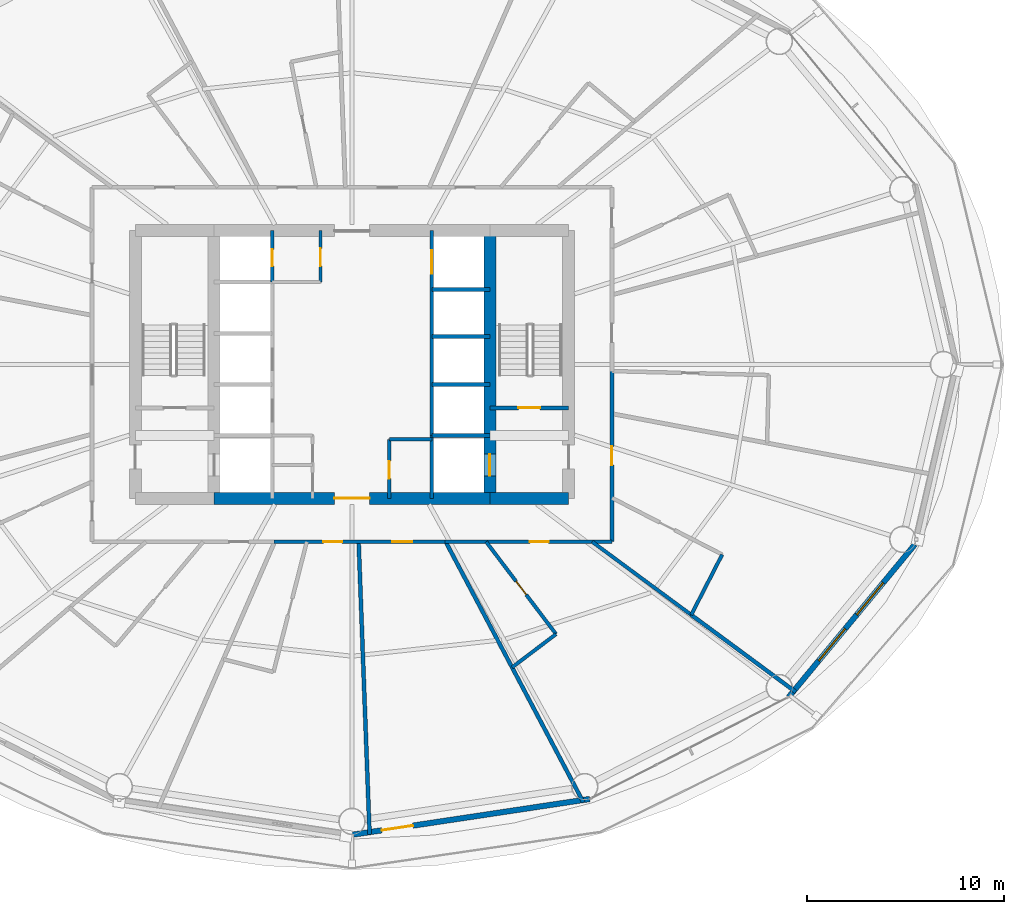
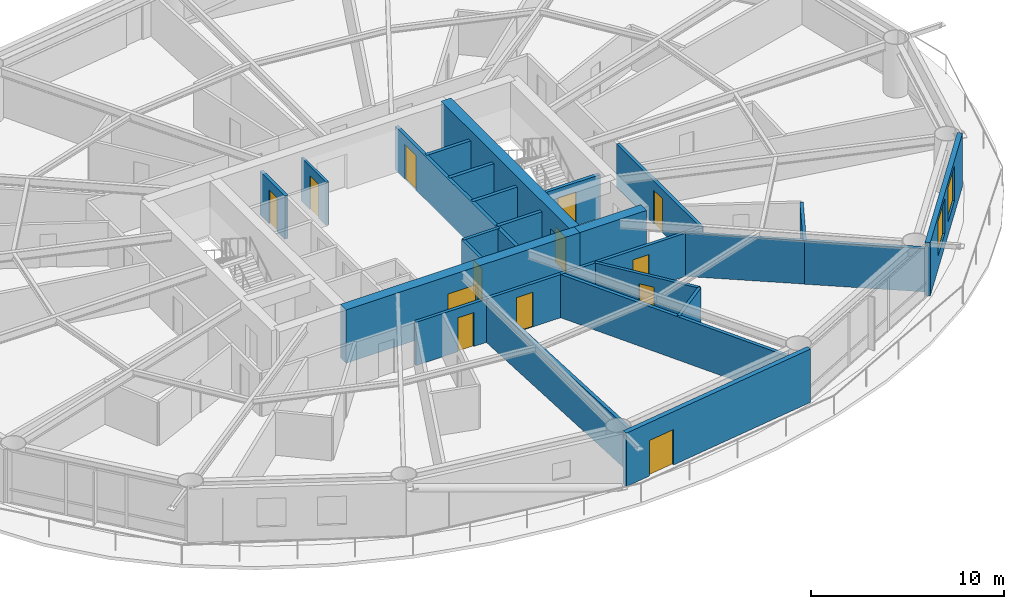
# One storey, part 21 of 26: 26 walls, 13 doors, 2 windows, 15 openings.
"""IFC4 building model written with IfcOpenShell, lengths in metres."""

from ifc_helpers import new_model, si_unit, direction, frame, frame_2d, origin, place, context, subcontext, project, spatial, rectangle, extrude, material, layer, layer_set, type_object, element, fill, save


model = new_model("IFC4")

# Units and contexts
model_context = context("Model", 3, precision=1e-05, world=origin(), true_north=direction((0.0, 1.0)))
body_context = subcontext(model_context, "Body", "Model", "MODEL_VIEW")
ifc_project = project(units=[si_unit("LENGTHUNIT", "METRE"), si_unit("AREAUNIT", "SQUARE_METRE"), si_unit("VOLUMEUNIT", "CUBIC_METRE"), si_unit("PLANEANGLEUNIT", "RADIAN"), si_unit("MASSUNIT", "GRAM", prefix="KILO")], contexts=[model_context])

# Site, building, storey
site_placement = place(None, origin())
site = spatial("IfcSite", under=ifc_project, at=site_placement, CompositionType="ELEMENT")
building_placement = place(site_placement, origin())
building = spatial("IfcBuilding", under=site, at=building_placement, Name="Sarneth Arch Tower", CompositionType="ELEMENT")
storey_placement = place(building_placement, frame((0.0, 0.0, 42.60009765625)))
storey = spatial("IfcBuildingStorey", under=building, at=storey_placement, Name="L09", CompositionType="ELEMENT", Elevation=42.60009765625)

# Wall, opening, door
ifc_material_1 = material(Name="Concrete C60/75", Category="concrete")
ifc_layer_1 = layer(ifc_material_1, 0.60009765625)
ifc_layer_set_1 = layer_set([ifc_layer_1], Name="Concrete C60/75")
wall_type_1 = type_object("IfcWallType", Name="WALL-CORE-600", PredefinedType="SHEAR", material=ifc_layer_set_1)
wall_1_placement = place(storey_placement, frame((41.0, 35.199951171875, 0.0), z_axis=(0.0, 0.0, 1.0), x_axis=(1.0, 0.0, 0.0)))
wall_1 = element("IfcWall", 1, at=wall_1_placement, inside=storey, type_object=wall_type_1, Name="L09 Core shear wall S-M", PredefinedType="SHEAR", context=body_context, shape_type="SweptSolid", body=[
    extrude(rectangle(XDim=14.0, YDim=0.60009765625, at=frame_2d((7.0, 0.0))), origin(), (0.0, 0.0, 1.0), 3.3798828125),
])
opening_1_placement = place(wall_1_placement, frame((6.10009765625, 0.0, 0.0)))
opening_1 = element("IfcOpeningElement", 2, at=opening_1_placement, cuts=wall_1, Name="Opening FD-01", PredefinedType="OPENING", context=body_context, shape_type="SweptSolid", body=[
    extrude(rectangle(XDim=1.800048828125, YDim=2.25, at=frame_2d((0.89990234375, 1.125))), frame((0.0, 0.31005859375, 0.0), z_axis=(0.0, -1.0, 0.0), x_axis=(1.0, 0.0, 0.0)), (0.0, 0.0, 1.0), 0.6201171875),
])
ifc_material_2 = material(Name="Galvanised Steel S275 fire door set", Category="steel")
door_type_1 = type_object("IfcDoorType", Name="DR-FD90-1800", OperationType="DOUBLE_DOOR_SINGLE_SWING", PredefinedType="DOOR", material=ifc_material_2)
door_1_placement = place(opening_1_placement, origin())
door_1 = element("IfcDoor", 3, at=door_1_placement, inside=storey, type_object=door_type_1, Name="L09 Central lift lobby south door", OperationType="DOUBLE_DOOR_SINGLE_SWING", OverallHeight=2.25, OverallWidth=1.800048828125, PredefinedType="DOOR", context=body_context, shape_type="SweptSolid", body=[
    extrude(rectangle(XDim=1.800048828125, YDim=2.25, at=frame_2d((0.89990234375, 1.125))), frame((0.0, 0.02490234375, 0.0), z_axis=(0.0, -1.0, 0.0), x_axis=(1.0, 0.0, 0.0)), (0.0, 0.0, 1.0), 0.050048828125),
])
fill(opening_1, door_1)

# Wall
wall_2_placement = place(storey_placement, frame((55.0, 35.199951171875, 0.0), z_axis=(0.0, 0.0, 1.0), x_axis=(1.0, 0.0, 0.0)))
element("IfcWall", 4, at=wall_2_placement, inside=storey, type_object=wall_type_1, Name="L09 Core shear wall S-E", PredefinedType="SHEAR", context=body_context, shape_type="SweptSolid", body=[
    extrude(rectangle(XDim=4.0, YDim=0.60009765625, at=frame_2d((2.0, 0.0))), origin(), (0.0, 0.0, 1.0), 3.3798828125),
])

# Wall, opening, door
wall_3_placement = place(storey_placement, frame((55.0, 35.199951171875, 0.0), z_axis=(0.0, 0.0, 1.0), x_axis=(0.0, 1.0, 0.0)))
wall_3 = element("IfcWall", 5, at=wall_3_placement, inside=storey, type_object=wall_type_1, Name="L09 Core shear wall WEB-E", PredefinedType="SHEAR", context=body_context, shape_type="SweptSolid", body=[
    extrude(rectangle(XDim=13.60009765625, YDim=0.60009765625, at=frame_2d((6.800048828125, 0.0))), origin(), (0.0, 0.0, 1.0), 3.3798828125),
])
opening_2_placement = place(wall_3_placement, frame((1.14990234375, 0.0, 0.0)))
opening_2 = element("IfcOpeningElement", 6, at=opening_2_placement, cuts=wall_3, Name="Opening LD-1", PredefinedType="OPENING", context=body_context, shape_type="SweptSolid", body=[
    extrude(rectangle(XDim=1.10009765625, YDim=2.199951171875, at=frame_2d((0.550048828125, 1.10009765625))), frame((0.0, 0.31005859375, 0.0), z_axis=(0.0, -1.0, 0.0), x_axis=(1.0, 0.0, 0.0)), (0.0, 0.0, 1.0), 0.6201171875),
])
ifc_material_3 = material(Name="Brushed Stainless Steel 304 lift landing door", Category="steel")
door_type_2 = type_object("IfcDoorType", Name="DR-LIFT-SLIDE-1100", OperationType="SLIDING_TO_LEFT", PredefinedType="DOOR", material=ifc_material_3)
door_2_placement = place(opening_2_placement, origin())
door_2 = element("IfcDoor", 7, at=door_2_placement, inside=storey, type_object=door_type_2, Name="L09 Firefighting lift landing door FL-2", OperationType="SLIDING_TO_RIGHT", OverallHeight=2.199951171875, OverallWidth=1.10009765625, PredefinedType="DOOR", context=body_context, shape_type="SweptSolid", body=[
    extrude(rectangle(XDim=1.10009765625, YDim=2.199951171875, at=frame_2d((0.550048828125, 1.10009765625))), frame((0.0, 0.02490234375, 0.0), z_axis=(0.0, -1.0, 0.0), x_axis=(1.0, 0.0, 0.0)), (0.0, 0.0, 1.0), 0.050048828125),
])
fill(opening_2, door_2)

ifc_material_4 = material(Name="Double steel-stud corridor fire wall", Category="steel")
ifc_layer_2 = layer(ifc_material_4, 0.18994140625)
ifc_layer_set_2 = layer_set([ifc_layer_2], Name="Double steel-stud corridor fire wall")
wall_type_2 = type_object("IfcWallType", Name="WALL-CORR-190", PredefinedType="PARTITIONING", material=ifc_layer_set_2)
wall_4_placement = place(storey_placement, frame((61.199951171875, 33.0, 0.0), z_axis=(0.0, 0.0, 1.0), x_axis=(-1.0, 0.0, 0.0)))
wall_4 = element("IfcWall", 8, at=wall_4_placement, inside=storey, type_object=wall_type_2, Name="L09 Interior partition W-L09-TP-023", PredefinedType="PARTITIONING", context=body_context, shape_type="SweptSolid", body=[
    extrude(rectangle(XDim=8.4794921875, YDim=0.18994140625, at=frame_2d((4.23974609375, 0.0))), origin(), (0.0, 0.0, 1.0), 2.739990234375),
])
opening_3_placement = place(wall_4_placement, frame((3.2158203125, 0.0, 0.0)))
opening_3 = element("IfcOpeningElement", 9, at=opening_3_placement, cuts=wall_4, Name="Opening FD-09", PredefinedType="OPENING", context=body_context, shape_type="SweptSolid", body=[
    extrude(rectangle(XDim=0.949951171875, YDim=2.14990234375, at=frame_2d((0.47509765625, 1.074951171875))), frame((0.0, 0.10498046875, 0.0), z_axis=(0.0, -1.0, 0.0), x_axis=(1.0, 0.0, 0.0)), (0.0, 0.0, 1.0), 0.2099609375),
])
ifc_material_5 = material(Name="Hardwood timber hotel entrance fire door", Category="wood")
door_type_3 = type_object("IfcDoorType", Name="DR-FD60-950", OperationType="SINGLE_SWING_RIGHT", PredefinedType="DOOR", material=ifc_material_5)
door_3_placement = place(opening_3_placement, origin())
door_3 = element("IfcDoor", 10, at=door_3_placement, inside=storey, type_object=door_type_3, Name="L09 Interior door DR-L09-KEY-12", OperationType="SINGLE_SWING_LEFT", OverallHeight=2.14990234375, OverallWidth=0.949951171875, PredefinedType="DOOR", context=body_context, shape_type="SweptSolid", body=[
    extrude(rectangle(XDim=0.949951171875, YDim=2.14990234375, at=frame_2d((0.47509765625, 1.074951171875))), frame((0.0, 0.02490234375, 0.0), z_axis=(0.0, -1.0, 0.0), x_axis=(1.0, 0.0, 0.0)), (0.0, 0.0, 1.0), 0.050048828125),
])
fill(opening_3, door_3)

# Wall, openings, doors
wall_5_placement = place(storey_placement, frame((52.792724609375, 33.0, 0.0), z_axis=(0.0, 0.0, 1.0), x_axis=(-1.0, 0.0, 0.0)))
wall_5 = element("IfcWall", 11, at=wall_5_placement, inside=storey, type_object=wall_type_2, Name="L09 Interior partition W-L09-TP-022", PredefinedType="PARTITIONING", context=body_context, shape_type="SweptSolid", body=[
    extrude(rectangle(XDim=8.75439453125, YDim=0.18994140625, at=frame_2d((4.377197265625, 0.0))), origin(), (0.0, 0.0, 1.0), 2.739990234375),
])
opening_4_placement = place(wall_5_placement, frame((1.743896484375, 0.0, 0.0)))
opening_4 = element("IfcOpeningElement", 12, at=opening_4_placement, cuts=wall_5, Name="Opening FD-08", PredefinedType="OPENING", context=body_context, shape_type="SweptSolid", body=[
    extrude(rectangle(XDim=1.0, YDim=2.199951171875, at=frame_2d((0.5, 1.10009765625))), frame((0.0, 0.10498046875, 0.0), z_axis=(0.0, -1.0, 0.0), x_axis=(1.0, 0.0, 0.0)), (0.0, 0.0, 1.0), 0.2099609375),
])
opening_5_placement = place(wall_5_placement, frame((5.298095703125, 0.0, 0.0)))
opening_5 = element("IfcOpeningElement", 13, at=opening_5_placement, cuts=wall_5, Name="Opening FD-09", PredefinedType="OPENING", context=body_context, shape_type="SweptSolid", body=[
    extrude(rectangle(XDim=0.949951171875, YDim=2.14990234375, at=frame_2d((0.47509765625, 1.074951171875))), frame((0.0, 0.10498046875, 0.0), z_axis=(0.0, -1.0, 0.0), x_axis=(1.0, 0.0, 0.0)), (0.0, 0.0, 1.0), 0.2099609375),
])
ifc_material_6 = material(Name="Hardwood timber acoustic fire door", Category="wood")
door_type_4 = type_object("IfcDoorType", Name="DR-FD60-1000", OperationType="SINGLE_SWING_LEFT", PredefinedType="DOOR", material=ifc_material_6)
door_4_placement = place(opening_4_placement, origin())
door_4 = element("IfcDoor", 14, at=door_4_placement, inside=storey, type_object=door_type_4, Name="L09 Interior door DR-L09-AMN-11", OperationType="SINGLE_SWING_RIGHT", OverallHeight=2.199951171875, OverallWidth=1.0, PredefinedType="DOOR", context=body_context, shape_type="SweptSolid", body=[
    extrude(rectangle(XDim=1.0, YDim=2.199951171875, at=frame_2d((0.5, 1.10009765625))), frame((0.0, 0.02490234375, 0.0), z_axis=(0.0, -1.0, 0.0), x_axis=(1.0, 0.0, 0.0)), (0.0, 0.0, 1.0), 0.050048828125),
])
fill(opening_4, door_4)
door_5_placement = place(opening_5_placement, origin())
door_5 = element("IfcDoor", 15, at=door_5_placement, inside=storey, type_object=door_type_3, Name="L09 Interior door DR-L09-KEY-10", OperationType="SINGLE_SWING_RIGHT", OverallHeight=2.14990234375, OverallWidth=0.949951171875, PredefinedType="DOOR", context=body_context, shape_type="SweptSolid", body=[
    extrude(rectangle(XDim=0.949951171875, YDim=2.14990234375, at=frame_2d((0.47509765625, 1.074951171875))), frame((0.0, 0.02490234375, 0.0), z_axis=(0.0, -1.0, 0.0), x_axis=(1.0, 0.0, 0.0)), (0.0, 0.0, 1.0), 0.050048828125),
])
fill(opening_5, door_5)

# Wall, opening, door
wall_6_placement = place(storey_placement, frame((61.199951171875, 41.6962890625, 0.0), z_axis=(0.0, 0.0, 1.0), x_axis=(0.0, -1.0, 0.0)))
wall_6 = element("IfcWall", 16, at=wall_6_placement, inside=storey, type_object=wall_type_2, Name="L09 Interior partition W-L09-TP-025", PredefinedType="PARTITIONING", context=body_context, shape_type="SweptSolid", body=[
    extrude(rectangle(XDim=8.6962890625, YDim=0.18994140625, at=frame_2d((4.34814453125, 0.0))), origin(), (0.0, 0.0, 1.0), 2.739990234375),
])
opening_6_placement = place(wall_6_placement, frame((3.859619140625, 0.0, 0.0)))
opening_6 = element("IfcOpeningElement", 17, at=opening_6_placement, cuts=wall_6, Name="Opening FD-09", PredefinedType="OPENING", context=body_context, shape_type="SweptSolid", body=[
    extrude(rectangle(XDim=0.949951171875, YDim=2.14990234375, at=frame_2d((0.47509765625, 1.074951171875))), frame((0.0, 0.10498046875, 0.0), z_axis=(0.0, -1.0, 0.0), x_axis=(1.0, 0.0, 0.0)), (0.0, 0.0, 1.0), 0.2099609375),
])
door_6_placement = place(opening_6_placement, origin())
door_6 = element("IfcDoor", 18, at=door_6_placement, inside=storey, type_object=door_type_3, Name="L09 Interior door DR-L09-KEY-13", OperationType="SINGLE_SWING_LEFT", OverallHeight=2.14990234375, OverallWidth=0.949951171875, PredefinedType="DOOR", context=body_context, shape_type="SweptSolid", body=[
    extrude(rectangle(XDim=0.949951171875, YDim=2.14990234375, at=frame_2d((0.47509765625, 1.074951171875))), frame((0.0, 0.02490234375, 0.0), z_axis=(0.0, -1.0, 0.0), x_axis=(1.0, 0.0, 0.0)), (0.0, 0.0, 1.0), 0.050048828125),
])
fill(opening_6, door_6)

ifc_material_7 = material(Name="Extruded terracotta rainscreen on Concrete C40/50 backing", Category="masonry")
ifc_layer_3 = layer(ifc_material_7, 0.280029296875)
ifc_layer_set_3 = layer_set([ifc_layer_3], Name="Extruded terracotta rainscreen on Concrete C40/50 backing")
wall_type_3 = type_object("IfcWallType", Name="WALL-EXT-TERRA-280", PredefinedType="SOLIDWALL", material=ifc_layer_set_3)
wall_7_placement = place(storey_placement, frame((48.0, 18.1201171875, 0.0), z_axis=(0.0, 0.0, 1.0), x_axis=(0.988864835849, 0.148816452121, 0.0)))
wall_7 = element("IfcWall", 19, at=wall_7_placement, inside=storey, type_object=wall_type_3, Name="L09 Terracotta perimeter wall 13", PredefinedType="SOLIDWALL", context=body_context, shape_type="SweptSolid", body=[
    extrude(rectangle(XDim=12.2138671875, YDim=0.280029296875, at=frame_2d((6.10693359375, 0.0))), origin(), (0.0, 0.0, 1.0), 3.3798828125),
])
opening_7_placement = place(wall_7_placement, frame((1.53125, 0.0, 0.0)))
opening_7 = element("IfcOpeningElement", 20, at=opening_7_placement, cuts=wall_7, Name="Opening BD-1", PredefinedType="OPENING", context=body_context, shape_type="SweptSolid", body=[
    extrude(rectangle(XDim=1.60009765625, YDim=2.25, at=frame_2d((0.800048828125, 1.125))), frame((0.0, 0.14990234375, 0.0), z_axis=(0.0, -1.0, 0.0), x_axis=(1.0, 0.0, 0.0)), (0.0, 0.0, 1.0), 0.300048828125),
])
ifc_material_8 = material(Name="Thermally broken Aluminium 6063-T6 and laminated safety glass", Category="aluminium")
door_type_5 = type_object("IfcDoorType", Name="DR-BALC-GLZ-1600", OperationType="DOUBLE_DOOR_SINGLE_SWING", PredefinedType="DOOR", material=ifc_material_8)
door_7_placement = place(opening_7_placement, origin())
door_7 = element("IfcDoor", 21, at=door_7_placement, inside=storey, type_object=door_type_5, Name="L09 Balcony glazed door 13", OperationType="DOUBLE_DOOR_SINGLE_SWING", OverallHeight=2.25, OverallWidth=1.60009765625, PredefinedType="DOOR", context=body_context, shape_type="SweptSolid", body=[
    extrude(rectangle(XDim=1.60009765625, YDim=2.25, at=frame_2d((0.800048828125, 1.125))), frame((0.0, 0.02490234375, 0.0), z_axis=(0.0, -1.0, 0.0), x_axis=(1.0, 0.0, 0.0)), (0.0, 0.0, 1.0), 0.050048828125),
])
fill(opening_7, door_7)

# Wall, openings, windows
wall_8_placement = place(storey_placement, frame((70.174072265625, 25.1142578125, 0.0), z_axis=(0.0, 0.0, 1.0), x_axis=(0.637296809613, 0.770618437657, 0.0)))
wall_8 = element("IfcWall", 22, at=wall_8_placement, inside=storey, type_object=wall_type_3, Name="L09 Terracotta perimeter wall 15", PredefinedType="SOLIDWALL", context=body_context, shape_type="SweptSolid", body=[
    extrude(rectangle(XDim=10.053466796875, YDim=0.280029296875, at=frame_2d((5.02685546875, 0.0))), origin(), (0.0, 0.0, 1.0), 3.3798828125),
])
opening_8_placement = place(wall_8_placement, frame((2.39794921875, 0.0, 0.85009765625)))
opening_8 = element("IfcOpeningElement", 23, at=opening_8_placement, cuts=wall_8, Name="Opening W-03", PredefinedType="OPENING", context=body_context, shape_type="SweptSolid", body=[
    extrude(rectangle(XDim=2.10009765625, YDim=2.199951171875, at=frame_2d((1.050048828125, 1.10009765625))), frame((0.0, 0.14990234375, 0.0), z_axis=(0.0, -1.0, 0.0), x_axis=(1.0, 0.0, 0.0)), (0.0, 0.0, 1.0), 0.300048828125),
])
opening_9_placement = place(wall_8_placement, frame((5.4296875, 0.0, 0.85009765625)))
opening_9 = element("IfcOpeningElement", 24, at=opening_9_placement, cuts=wall_8, Name="Opening W-03", PredefinedType="OPENING", context=body_context, shape_type="SweptSolid", body=[
    extrude(rectangle(XDim=2.10009765625, YDim=2.199951171875, at=frame_2d((1.050048828125, 1.10009765625))), frame((0.0, 0.14990234375, 0.0), z_axis=(0.0, -1.0, 0.0), x_axis=(1.0, 0.0, 0.0)), (0.0, 0.0, 1.0), 0.300048828125),
])
ifc_material_9 = material(Name="Thermally broken Aluminium 6063-T6 and low-e laminated IGU", Category="aluminium")
window_type = type_object("IfcWindowType", Name="WIN-TWR-2100x2200", PartitioningType="DOUBLE_PANEL_VERTICAL", PredefinedType="WINDOW", material=ifc_material_9)
window_1_placement = place(opening_8_placement, origin())
window_1 = element("IfcWindow", 25, at=window_1_placement, inside=storey, type_object=window_type, Name="L09 Exterior window 15A", OverallHeight=2.199951171875, OverallWidth=2.10009765625, PartitioningType="SINGLE_PANEL", PredefinedType="WINDOW", context=body_context, shape_type="SweptSolid", body=[
    extrude(rectangle(XDim=2.10009765625, YDim=2.199951171875, at=frame_2d((1.050048828125, 1.10009765625))), frame((0.0, 0.030029296875, 0.0), z_axis=(0.0, -1.0, 0.0), x_axis=(1.0, 0.0, 0.0)), (0.0, 0.0, 1.0), 0.06005859375),
])
fill(opening_8, window_1)
window_2_placement = place(opening_9_placement, origin())
window_2 = element("IfcWindow", 26, at=window_2_placement, inside=storey, type_object=window_type, Name="L09 Exterior window 15B", OverallHeight=2.199951171875, OverallWidth=2.10009765625, PartitioningType="SINGLE_PANEL", PredefinedType="WINDOW", context=body_context, shape_type="SweptSolid", body=[
    extrude(rectangle(XDim=2.10009765625, YDim=2.199951171875, at=frame_2d((1.050048828125, 1.10009765625))), frame((0.0, 0.030029296875, 0.0), z_axis=(0.0, -1.0, 0.0), x_axis=(1.0, 0.0, 0.0)), (0.0, 0.0, 1.0), 0.06005859375),
])
fill(opening_9, window_2)

# Wall, opening, door
ifc_material_10 = material(Name="Acoustic gypsum stud partition", Category="gypsum")
ifc_layer_4 = layer(ifc_material_10, 0.14990234375)
ifc_layer_set_4 = layer_set([ifc_layer_4], Name="Acoustic gypsum stud partition")
wall_type_4 = type_object("IfcWallType", Name="WALL-PART-150", PredefinedType="PARTITIONING", material=ifc_layer_set_4)
wall_9_placement = place(storey_placement, frame((46.39990234375, 46.199951171875, 0.0), z_axis=(0.0, 0.0, 1.0), x_axis=(0.0, 1.0, 0.0)))
wall_9 = element("IfcWall", 27, at=wall_9_placement, inside=storey, type_object=wall_type_4, Name="L09 Interior partition W-L09-CSUP3-E", PredefinedType="PARTITIONING", context=body_context, shape_type="SweptSolid", body=[
    extrude(rectangle(XDim=2.60009765625, YDim=0.14990234375, at=frame_2d((1.300048828125, 0.0))), origin(), (0.0, 0.0, 1.0), 2.739990234375),
])
opening_10_placement = place(wall_9_placement, frame((0.800048828125, 0.0, 0.0)))
opening_10 = element("IfcOpeningElement", 28, at=opening_10_placement, cuts=wall_9, Name="Opening FD-10", PredefinedType="OPENING", context=body_context, shape_type="SweptSolid", body=[
    extrude(rectangle(XDim=0.89990234375, YDim=2.14990234375, at=frame_2d((0.449951171875, 1.074951171875))), frame((0.0, 0.0849609375, 0.0), z_axis=(0.0, -1.0, 0.0), x_axis=(1.0, 0.0, 0.0)), (0.0, 0.0, 1.0), 0.169921875),
])
ifc_material_11 = material(Name="Galvanised Steel S275 riser/service fire door", Category="steel")
door_type_6 = type_object("IfcDoorType", Name="DR-FD60-900", OperationType="SINGLE_SWING_LEFT", PredefinedType="DOOR", material=ifc_material_11)
door_8_placement = place(opening_10_placement, origin())
door_8 = element("IfcDoor", 29, at=door_8_placement, inside=storey, type_object=door_type_6, Name="L09 Interior door DR-L09-CSUP3", OperationType="SINGLE_SWING_LEFT", OverallHeight=2.14990234375, OverallWidth=0.89990234375, PredefinedType="DOOR", context=body_context, shape_type="SweptSolid", body=[
    extrude(rectangle(XDim=0.89990234375, YDim=2.14990234375, at=frame_2d((0.449951171875, 1.074951171875))), frame((0.0, 0.02490234375, 0.0), z_axis=(0.0, -1.0, 0.0), x_axis=(1.0, 0.0, 0.0)), (0.0, 0.0, 1.0), 0.050048828125),
])
fill(opening_10, door_8)

# Wall
ifc_material_12 = material(Name="Moisture-resistant plumbing chase wall", Category="gypsum")
ifc_layer_5 = layer(ifc_material_12, 0.179931640625)
ifc_layer_set_5 = layer_set([ifc_layer_5], Name="Moisture-resistant plumbing chase wall")
wall_type_5 = type_object("IfcWallType", Name="WALL-PLUMB-180", PredefinedType="PLUMBINGWALL", material=ifc_layer_set_5)
wall_10_placement = place(storey_placement, frame((49.89990234375, 38.199951171875, 0.0), z_axis=(0.0, 0.0, 1.0), x_axis=(1.0, 0.0, 0.0)))
element("IfcWall", 30, at=wall_10_placement, inside=storey, type_object=wall_type_5, Name="L09 Interior partition W-L09-AWC-N", PredefinedType="PLUMBINGWALL", context=body_context, shape_type="SweptSolid", body=[
    extrude(rectangle(XDim=2.150146484375, YDim=0.179931640625, at=frame_2d((1.0751953125, 0.0))), origin(), (0.0, 0.0, 1.0), 2.739990234375),
])

# Wall, opening, door
wall_11_placement = place(storey_placement, frame((49.89990234375, 35.199951171875, 0.0), z_axis=(0.0, 0.0, 1.0), x_axis=(0.0, 1.0, 0.0)))
wall_11 = element("IfcWall", 31, at=wall_11_placement, inside=storey, type_object=wall_type_5, Name="L09 Interior partition W-L09-AWC-W", PredefinedType="PLUMBINGWALL", context=body_context, shape_type="SweptSolid", body=[
    extrude(rectangle(XDim=3.0, YDim=0.179931640625, at=frame_2d((1.5, 0.0))), origin(), (0.0, 0.0, 1.0), 2.739990234375),
])
opening_11_placement = place(wall_11_placement, frame((1.0, 0.0, 0.0)))
opening_11 = element("IfcOpeningElement", 32, at=opening_11_placement, cuts=wall_11, Name="Opening ID-01", PredefinedType="OPENING", context=body_context, shape_type="SweptSolid", body=[
    extrude(rectangle(XDim=0.89990234375, YDim=2.10009765625, at=frame_2d((0.449951171875, 1.050048828125))), frame((0.0, 0.099853515625, 0.0), z_axis=(0.0, -1.0, 0.0), x_axis=(1.0, 0.0, 0.0)), (0.0, 0.0, 1.0), 0.199951171875),
])
ifc_material_13 = material(Name="Engineered hardwood flush door", Category="wood")
door_type_7 = type_object("IfcDoorType", Name="DR-INT-900", OperationType="SINGLE_SWING_LEFT", PredefinedType="DOOR", material=ifc_material_13)
door_9_placement = place(opening_11_placement, origin())
door_9 = element("IfcDoor", 33, at=door_9_placement, inside=storey, type_object=door_type_7, Name="L09 Interior door DR-L09-AWC", OperationType="SINGLE_SWING_RIGHT", OverallHeight=2.10009765625, OverallWidth=0.89990234375, PredefinedType="DOOR", context=body_context, shape_type="SweptSolid", body=[
    extrude(rectangle(XDim=0.89990234375, YDim=2.10009765625, at=frame_2d((0.449951171875, 1.050048828125))), frame((0.0, 0.02490234375, 0.0), z_axis=(0.0, -1.0, 0.0), x_axis=(1.0, 0.0, 0.0)), (0.0, 0.0, 1.0), 0.050048828125),
])
fill(opening_11, door_9)

# Wall
wall_12_placement = place(storey_placement, frame((65.22509765625, 29.287109375, 0.0), z_axis=(0.0, 0.0, 1.0), x_axis=(-0.804582519588, 0.593840861825, 0.0)))
element("IfcWall", 34, at=wall_12_placement, inside=storey, type_object=wall_type_5, Name="L09 Interior partition W-L09-TP-070", PredefinedType="PLUMBINGWALL", context=body_context, shape_type="SweptSolid", body=[
    extrude(rectangle(XDim=6.25244140625, YDim=0.179931640625, at=frame_2d((3.126220703125, 0.0))), origin(), (0.0, 0.0, 1.0), 2.739990234375),
])

# Wall, opening, door
wall_13_placement = place(storey_placement, frame((58.359619140625, 28.309326171875, 0.0), z_axis=(0.0, 0.0, 1.0), x_axis=(-0.603401299207, 0.797437691682, 0.0)))
wall_13 = element("IfcWall", 35, at=wall_13_placement, inside=storey, type_object=wall_type_5, Name="L09 Interior partition W-L09-TP-068", PredefinedType="PLUMBINGWALL", context=body_context, shape_type="SweptSolid", body=[
    extrude(rectangle(XDim=5.882080078125, YDim=0.179931640625, at=frame_2d((2.94091796875, 0.0))), origin(), (0.0, 0.0, 1.0), 2.739990234375),
])
opening_12_placement = place(wall_13_placement, frame((2.51611328125, 0.0, 0.0)))
opening_12 = element("IfcOpeningElement", 36, at=opening_12_placement, cuts=wall_13, Name="Opening ID-02", PredefinedType="OPENING", context=body_context, shape_type="SweptSolid", body=[
    extrude(rectangle(XDim=0.85009765625, YDim=2.10009765625, at=frame_2d((0.425048828125, 1.050048828125))), frame((0.0, 0.099853515625, 0.0), z_axis=(0.0, -1.0, 0.0), x_axis=(1.0, 0.0, 0.0)), (0.0, 0.0, 1.0), 0.199951171875),
])
ifc_material_14 = material(Name="Moisture-resistant bathroom timber door", Category="wood")
door_type_8 = type_object("IfcDoorType", Name="DR-INT-850", OperationType="SINGLE_SWING_RIGHT", PredefinedType="DOOR", material=ifc_material_14)
door_10_placement = place(opening_12_placement, origin())
door_10 = element("IfcDoor", 37, at=door_10_placement, inside=storey, type_object=door_type_8, Name="L09 Interior door DR-L09-ENS-12", OperationType="SINGLE_SWING_LEFT", OverallHeight=2.10009765625, OverallWidth=0.85009765625, PredefinedType="DOOR", context=body_context, shape_type="SweptSolid", body=[
    extrude(rectangle(XDim=0.85009765625, YDim=2.10009765625, at=frame_2d((0.425048828125, 1.050048828125))), frame((0.0, 0.02490234375, 0.0), z_axis=(0.0, -1.0, 0.0), x_axis=(1.0, 0.0, 0.0)), (0.0, 0.0, 1.0), 0.050048828125),
])
fill(opening_12, door_10)

# Walls
wall_14_placement = place(storey_placement, frame((66.7978515625, 32.35107421875, 0.0), z_axis=(0.0, 0.0, 1.0), x_axis=(-0.456659133546, -0.889641745732, 0.0)))
element("IfcWall", 38, at=wall_14_placement, inside=storey, type_object=wall_type_5, Name="L09 Interior partition W-L09-TP-072", PredefinedType="PLUMBINGWALL", context=body_context, shape_type="SweptSolid", body=[
    extrude(rectangle(XDim=3.444091796875, YDim=0.179931640625, at=frame_2d((1.72216796875, 0.0))), origin(), (0.0, 0.0, 1.0), 2.739990234375),
])
wall_15_placement = place(storey_placement, frame((56.128173828125, 26.620849609375, 0.0), z_axis=(0.0, 0.0, 1.0), x_axis=(0.797438154909, 0.603400687019, 0.0)))
element("IfcWall", 39, at=wall_15_placement, inside=storey, type_object=wall_type_5, Name="L09 Interior partition W-L09-TP-067", PredefinedType="PLUMBINGWALL", context=body_context, shape_type="SweptSolid", body=[
    extrude(rectangle(XDim=2.79833984375, YDim=0.179931640625, at=frame_2d((1.399169921875, 0.0))), origin(), (0.0, 0.0, 1.0), 2.739990234375),
])

# Wall, opening, door
ifc_material_15 = material(Name="Aerated concrete blockwork C25/30", Category="masonry")
ifc_layer_6 = layer(ifc_material_15, 0.199951171875)
ifc_layer_set_6 = layer_set([ifc_layer_6], Name="Aerated concrete blockwork C25/30")
wall_type_6 = type_object("IfcWallType", Name="WALL-SHAFT-200", PredefinedType="SOLIDWALL", material=ifc_layer_set_6)
wall_16_placement = place(storey_placement, frame((55.0, 39.800048828125, 0.0), z_axis=(0.0, 0.0, 1.0), x_axis=(1.0, 0.0, 0.0)))
wall_16 = element("IfcWall", 40, at=wall_16_placement, inside=storey, type_object=wall_type_6, Name="L09 Interior partition W-L09-ST2-S", PredefinedType="SOLIDWALL", context=body_context, shape_type="SweptSolid", body=[
    extrude(rectangle(XDim=4.0, YDim=0.199951171875, at=frame_2d((2.0, 0.0))), origin(), (0.0, 0.0, 1.0), 2.739990234375),
])
opening_13_placement = place(wall_16_placement, frame((1.449951171875, 0.0, 0.0)))
opening_13 = element("IfcOpeningElement", 41, at=opening_13_placement, cuts=wall_16, Name="Opening FD-03", PredefinedType="OPENING", context=body_context, shape_type="SweptSolid", body=[
    extrude(rectangle(XDim=1.10009765625, YDim=2.14990234375, at=frame_2d((0.550048828125, 1.074951171875))), frame((0.0, 0.10986328125, 0.0), z_axis=(0.0, -1.0, 0.0), x_axis=(1.0, 0.0, 0.0)), (0.0, 0.0, 1.0), 0.219970703125),
])
ifc_material_16 = material(Name="Galvanised Steel S275 fire door set", Category="steel")
door_type_9 = type_object("IfcDoorType", Name="DR-FD90-1100", OperationType="SINGLE_SWING_LEFT", PredefinedType="DOOR", material=ifc_material_16)
door_11_placement = place(opening_13_placement, origin())
door_11 = element("IfcDoor", 42, at=door_11_placement, inside=storey, type_object=door_type_9, Name="L09 Interior door DR-L09-ST2", OperationType="SINGLE_SWING_RIGHT", OverallHeight=2.14990234375, OverallWidth=1.10009765625, PredefinedType="DOOR", context=body_context, shape_type="SweptSolid", body=[
    extrude(rectangle(XDim=1.10009765625, YDim=2.14990234375, at=frame_2d((0.550048828125, 1.074951171875))), frame((0.0, 0.02490234375, 0.0), z_axis=(0.0, -1.0, 0.0), x_axis=(1.0, 0.0, 0.0)), (0.0, 0.0, 1.0), 0.050048828125),
])
fill(opening_13, door_11)

# Walls
wall_17_placement = place(storey_placement, frame((52.050048828125, 35.199951171875, 0.0), z_axis=(0.0, 0.0, 1.0), x_axis=(0.0, 1.0, 0.0)))
element("IfcWall", 43, at=wall_17_placement, inside=storey, type_object=wall_type_6, Name="L09 Interior partition W-L09-FL2-W", PredefinedType="SOLIDWALL", context=body_context, shape_type="SweptSolid", body=[
    extrude(rectangle(XDim=3.199951171875, YDim=0.199951171875, at=frame_2d((1.60009765625, 0.0))), origin(), (0.0, 0.0, 1.0), 2.739990234375),
])
wall_18_placement = place(storey_placement, frame((52.050048828125, 38.39990234375, 0.0), z_axis=(0.0, 0.0, 1.0), x_axis=(1.0, 0.0, 0.0)))
element("IfcWall", 44, at=wall_18_placement, inside=storey, type_object=wall_type_6, Name="L09 Interior partition W-L09-FL2-N", PredefinedType="SOLIDWALL", context=body_context, shape_type="SweptSolid", body=[
    extrude(rectangle(XDim=2.949951171875, YDim=0.199951171875, at=frame_2d((1.47509765625, 0.0))), origin(), (0.0, 0.0, 1.0), 2.739990234375),
])

# Wall, opening, door
wall_19_placement = place(storey_placement, frame((43.949951171875, 46.199951171875, 0.0), z_axis=(0.0, 0.0, 1.0), x_axis=(0.0, 1.0, 0.0)))
wall_19 = element("IfcWall", 45, at=wall_19_placement, inside=storey, type_object=wall_type_6, Name="L09 Interior partition W-L09-RISER-E", PredefinedType="SOLIDWALL", context=body_context, shape_type="SweptSolid", body=[
    extrude(rectangle(XDim=2.60009765625, YDim=0.199951171875, at=frame_2d((1.300048828125, 0.0))), origin(), (0.0, 0.0, 1.0), 2.739990234375),
])
opening_14_placement = place(wall_19_placement, frame((0.800048828125, 0.0, 0.0)))
opening_14 = element("IfcOpeningElement", 46, at=opening_14_placement, cuts=wall_19, Name="Opening FD-11", PredefinedType="OPENING", context=body_context, shape_type="SweptSolid", body=[
    extrude(rectangle(XDim=0.85009765625, YDim=2.14990234375, at=frame_2d((0.425048828125, 1.074951171875))), frame((0.0, 0.10986328125, 0.0), z_axis=(0.0, -1.0, 0.0), x_axis=(1.0, 0.0, 0.0)), (0.0, 0.0, 1.0), 0.219970703125),
])
ifc_material_17 = material(Name="Galvanised Steel S275 closet fire door", Category="steel")
door_type_10 = type_object("IfcDoorType", Name="DR-FD60-850", OperationType="SINGLE_SWING_LEFT", PredefinedType="DOOR", material=ifc_material_17)
door_12_placement = place(opening_14_placement, origin())
door_12 = element("IfcDoor", 47, at=door_12_placement, inside=storey, type_object=door_type_10, Name="L09 Lift landing door DR-L09-RISER", OperationType="SINGLE_SWING_LEFT", OverallHeight=2.14990234375, OverallWidth=0.85009765625, PredefinedType="DOOR", context=body_context, shape_type="SweptSolid", body=[
    extrude(rectangle(XDim=0.85009765625, YDim=2.14990234375, at=frame_2d((0.425048828125, 1.074951171875))), frame((0.0, 0.02490234375, 0.0), z_axis=(0.0, -1.0, 0.0), x_axis=(1.0, 0.0, 0.0)), (0.0, 0.0, 1.0), 0.050048828125),
])
fill(opening_14, door_12)

wall_20_placement = place(storey_placement, frame((52.050048828125, 38.39990234375, 0.0), z_axis=(0.0, 0.0, 1.0), x_axis=(0.0, 1.0, 0.0)))
wall_20 = element("IfcWall", 48, at=wall_20_placement, inside=storey, type_object=wall_type_6, Name="L09 Interior partition W-L09-EASTBANK-FRONT", PredefinedType="SOLIDWALL", context=body_context, shape_type="SweptSolid", body=[
    extrude(rectangle(XDim=10.400146484375, YDim=0.199951171875, at=frame_2d((5.2001953125, 0.0))), origin(), (0.0, 0.0, 1.0), 2.739990234375),
])
opening_15_placement = place(wall_20_placement, frame((8.199951171875, 0.0, 0.0)))
opening_15 = element("IfcOpeningElement", 49, at=opening_15_placement, cuts=wall_20, Name="Opening LD-2", PredefinedType="OPENING", context=body_context, shape_type="SweptSolid", body=[
    extrude(rectangle(XDim=1.199951171875, YDim=2.199951171875, at=frame_2d((0.60009765625, 1.10009765625))), frame((0.0, 0.10986328125, 0.0), z_axis=(0.0, -1.0, 0.0), x_axis=(1.0, 0.0, 0.0)), (0.0, 0.0, 1.0), 0.219970703125),
])
ifc_material_18 = material(Name="Brushed Stainless Steel 304 service lift door", Category="steel")
door_type_11 = type_object("IfcDoorType", Name="DR-LIFT-SLIDE-1200", OperationType="SLIDING_TO_RIGHT", PredefinedType="DOOR", material=ifc_material_18)
door_13_placement = place(opening_15_placement, origin())
door_13 = element("IfcDoor", 50, at=door_13_placement, inside=storey, type_object=door_type_11, Name="L09 Lift landing door DR-L09-LD-SL1", OperationType="SLIDING_TO_RIGHT", OverallHeight=2.199951171875, OverallWidth=1.199951171875, PredefinedType="DOOR", context=body_context, shape_type="SweptSolid", body=[
    extrude(rectangle(XDim=1.199951171875, YDim=2.199951171875, at=frame_2d((0.60009765625, 1.10009765625))), frame((0.0, 0.02490234375, 0.0), z_axis=(0.0, -1.0, 0.0), x_axis=(1.0, 0.0, 0.0)), (0.0, 0.0, 1.0), 0.050048828125),
])
fill(opening_15, door_13)

# Walls
for number, where, z_axis, x_axis, name in (
    (51, (52.050048828125, 40.97998046875, 0.0), (0.0, 0.0, 1.0), (1.0, 0.0, 0.0), "L09 Interior partition W-L09-EB-DIV-4098"),
    (52, (52.050048828125, 43.419921875, 0.0), (0.0, 0.0, 1.0), (1.0, 0.0, 0.0), "L09 Interior partition W-L09-EB-DIV-4342"),
    (53, (52.050048828125, 45.800048828125, 0.0), (0.0, 0.0, 1.0), (1.0, 0.0, 0.0), "L09 Interior partition W-L09-EB-DIV-4580"),
):
    element("IfcWall", number, at=place(storey_placement, frame(where, z_axis=z_axis, x_axis=x_axis)), inside=storey, type_object=wall_type_6, Name=name, PredefinedType="SOLIDWALL", context=body_context, shape_type="SweptSolid", body=[
        extrude(rectangle(XDim=2.949951171875, YDim=0.199951171875, at=frame_2d((1.47509765625, 0.0))), origin(), (0.0, 0.0, 1.0), 2.739990234375),
    ])
ifc_material_19 = material(Name="Double steel-stud acoustic drywall", Category="steel")
ifc_layer_7 = layer(ifc_material_19, 0.199951171875)
ifc_layer_set_7 = layer_set([ifc_layer_7], Name="Double steel-stud acoustic drywall")
wall_type_7 = type_object("IfcWallType", Name="WALL-UNIT-200", PredefinedType="PARTITIONING", material=ifc_layer_set_7)
wall_21_placement = place(storey_placement, frame((48.89306640625, 18.1337890625, 0.0), z_axis=(0.0, 0.0, 1.0), x_axis=(-0.037384345878, 0.999300961014, 0.0)))
element("IfcWall", 54, at=wall_21_placement, inside=storey, type_object=wall_type_7, Name="L09 Interior partition W-L09-TP-064", PredefinedType="PARTITIONING", context=body_context, shape_type="SweptSolid", body=[
    extrude(rectangle(XDim=14.876708984375, YDim=0.199951171875, at=frame_2d((7.4384765625, 0.0))), origin(), (0.0, 0.0, 1.0), 2.739990234375),
])
wall_22_placement = place(storey_placement, frame((52.756591796875, 33.0, 0.0), z_axis=(0.0, 0.0, 1.0), x_axis=(0.467270516294, -0.884114395654, 0.0)))
element("IfcWall", 55, at=wall_22_placement, inside=storey, type_object=wall_type_7, Name="L09 Interior partition W-L09-TP-065", PredefinedType="PARTITIONING", context=body_context, shape_type="SweptSolid", body=[
    extrude(rectangle(XDim=14.960205078125, YDim=0.199951171875, at=frame_2d((7.47998046875, 0.0))), origin(), (0.0, 0.0, 1.0), 2.739990234375),
])
wall_23_placement = place(storey_placement, frame((70.5380859375, 25.3662109375, 0.0), z_axis=(0.0, 0.0, 1.0), x_axis=(-0.804616980297, 0.593794168898, 0.0)))
element("IfcWall", 56, at=wall_23_placement, inside=storey, type_object=wall_type_7, Name="L09 Interior partition W-L09-TP-069", PredefinedType="PARTITIONING", context=body_context, shape_type="SweptSolid", body=[
    extrude(rectangle(XDim=6.60302734375, YDim=0.199951171875, at=frame_2d((3.301513671875, 0.0))), origin(), (0.0, 0.0, 1.0), 2.739990234375),
])

save(model, "model.ifc")
